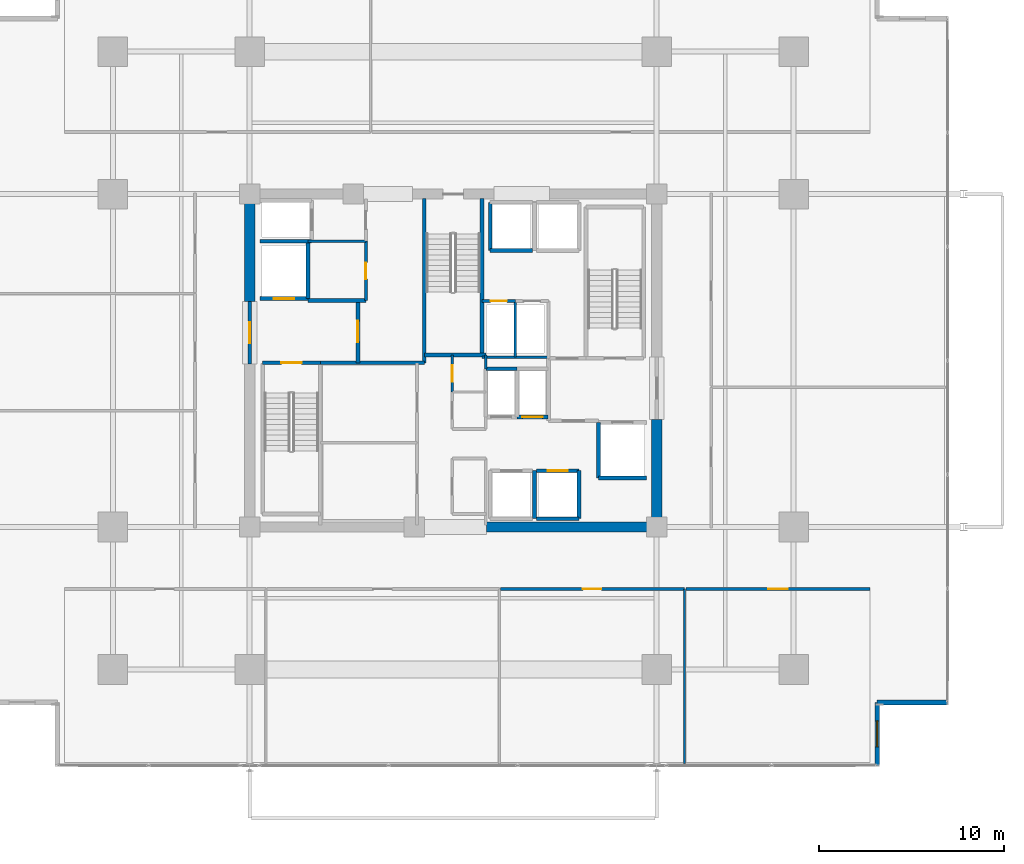
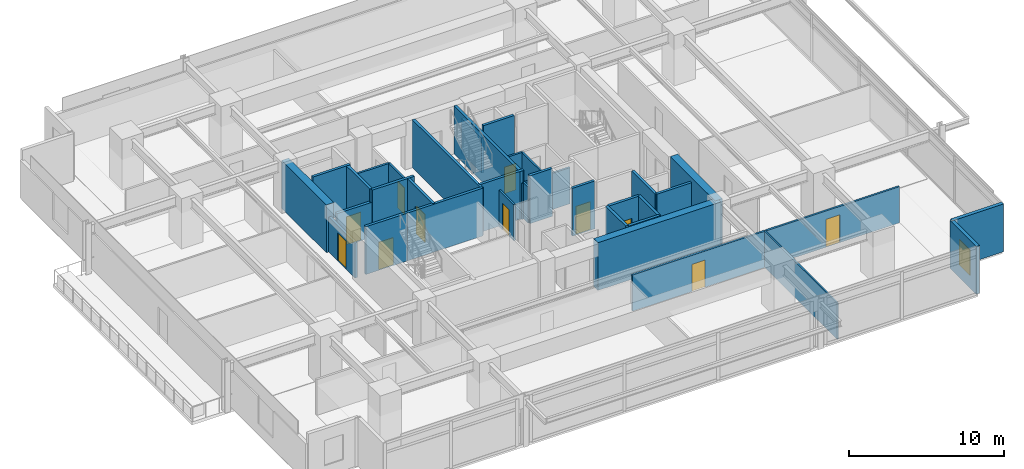
# One storey, part 17 of 23: 36 walls, 11 doors, 1 window, 12 openings.
"""IFC4 building model written with IfcOpenShell, lengths in metres."""

from ifc_helpers import new_model, si_unit, direction, frame, frame_2d, origin, place, context, subcontext, project, spatial, rectangle, extrude, material, layer, layer_set, type_object, element, fill, save


model = new_model("IFC4")

# Units and contexts
model_context = context("Model", 3, precision=1e-05, world=origin(), true_north=direction((0.0, 1.0)))
body_context = subcontext(model_context, "Body", "Model", "MODEL_VIEW")
ifc_project = project(units=[si_unit("LENGTHUNIT", "METRE"), si_unit("AREAUNIT", "SQUARE_METRE"), si_unit("VOLUMEUNIT", "CUBIC_METRE"), si_unit("PLANEANGLEUNIT", "RADIAN"), si_unit("MASSUNIT", "GRAM", prefix="KILO")], contexts=[model_context])

# Site, building, storey
site_placement = place(None, origin())
site = spatial("IfcSite", under=ifc_project, at=site_placement, CompositionType="ELEMENT")
building_placement = place(site_placement, origin())
building = spatial("IfcBuilding", under=site, at=building_placement, Name="Kovane Verandah Tower", CompositionType="ELEMENT")
storey_placement = place(building_placement, frame((0.0, 0.0, 168.39990234375)))
storey = spatial("IfcBuildingStorey", under=building, at=storey_placement, Name="L39", CompositionType="ELEMENT", Elevation=168.39990234375)

# Wall
ifc_material_1 = material(Name="Fire-Rated Gypsum Stud Partition", Category="gypsum")
ifc_layer_1 = layer(ifc_material_1, 0.14990234375)
ifc_layer_set_1 = layer_set([ifc_layer_1], Name="Fire-Rated Gypsum Stud Partition")
wall_type_1 = type_object("IfcWallType", Name="WL-COR-150", PredefinedType="PARTITIONING", material=ifc_layer_set_1)
wall_1_placement = place(storey_placement, frame((41.760009765625, 27.050048828125, 0.0), z_axis=(0.0, 0.0, 1.0), x_axis=(0.0, 1.0, 0.0)))
element("IfcWall", 1, at=wall_1_placement, inside=storey, type_object=wall_type_1, Name="L39 Central Core Strip Upper East Wall", PredefinedType="PARTITIONING", context=body_context, shape_type="SweptSolid", body=[
    extrude(rectangle(XDim=0.75, YDim=0.14990234375, at=frame_2d((0.375, 0.0))), origin(), (0.0, 0.0, 1.0), 2.85009765625),
])

# Wall, opening, door
wall_2_placement = place(storey_placement, frame((39.949951171875, 25.800048828125, 0.0), z_axis=(0.0, 0.0, 1.0), x_axis=(0.0, 1.0, 0.0)))
wall_2 = element("IfcWall", 2, at=wall_2_placement, inside=storey, type_object=wall_type_1, Name="L39 Electrical Riser Room Partition", PredefinedType="PARTITIONING", context=body_context, shape_type="SweptSolid", body=[
    extrude(rectangle(XDim=2.0, YDim=0.14990234375, at=frame_2d((1.0, 0.0))), origin(), (0.0, 0.0, 1.0), 2.85009765625),
])
opening_1_placement = place(wall_2_placement, frame((0.56005859375, 0.0, 0.0)))
opening_1 = element("IfcOpeningElement", 3, at=opening_1_placement, cuts=wall_2, Name="Opening DR-L39-024", PredefinedType="OPENING", context=body_context, shape_type="SweptSolid", body=[
    extrude(rectangle(XDim=0.8798828125, YDim=2.10009765625, at=frame_2d((0.43994140625, 1.050048828125))), frame((0.0, 0.074951171875, 0.0), z_axis=(0.0, -1.0, 0.0), x_axis=(1.0, 0.0, 0.0)), (0.0, 0.0, 1.0), 0.14990234375),
])
ifc_material_2 = material(Name="Fire-Rated Steel Riser Access Door", Category="steel")
door_type_1 = type_object("IfcDoorType", Name="DR-RISER-880", OperationType="SINGLE_SWING_LEFT", PredefinedType="DOOR", material=ifc_material_2)
door_1_placement = place(opening_1_placement, origin())
door_1 = element("IfcDoor", 4, at=door_1_placement, inside=storey, type_object=door_type_1, Name="L39 Electrical Riser Room Door", OperationType="SINGLE_SWING_LEFT", OverallHeight=2.10009765625, OverallWidth=0.8798828125, PredefinedType="DOOR", context=body_context, shape_type="SweptSolid", body=[
    extrude(rectangle(XDim=0.8798828125, YDim=2.10009765625, at=frame_2d((0.43994140625, 1.050048828125))), frame((0.0, 0.02490234375, 0.0), z_axis=(0.0, -1.0, 0.0), x_axis=(1.0, 0.0, 0.0)), (0.0, 0.0, 1.0), 0.050048828125),
])
fill(opening_1, door_1)

# Wall
wall_3_placement = place(storey_placement, frame((32.14990234375, 33.949951171875, 0.0), z_axis=(0.0, 0.0, 1.0), x_axis=(1.0, 0.0, 0.0)))
element("IfcWall", 5, at=wall_3_placement, inside=storey, type_object=wall_type_1, Name="L39 Goods Lift Lobby South Wall", PredefinedType="PARTITIONING", context=body_context, shape_type="SweptSolid", body=[
    extrude(rectangle(XDim=3.130126953125, YDim=0.14990234375, at=frame_2d((1.56494140625, 0.0))), origin(), (0.0, 0.0, 1.0), 2.85009765625),
])

# Wall, opening, door
wall_4_placement = place(storey_placement, frame((35.280029296875, 30.75, 0.0), z_axis=(0.0, 0.0, 1.0), x_axis=(0.0, 1.0, 0.0)))
wall_4 = element("IfcWall", 6, at=wall_4_placement, inside=storey, type_object=wall_type_1, Name="L39 Accessible Unisex Toilet Partition", PredefinedType="PARTITIONING", context=body_context, shape_type="SweptSolid", body=[
    extrude(rectangle(XDim=3.199951171875, YDim=0.14990234375, at=frame_2d((1.60009765625, 0.0))), origin(), (0.0, 0.0, 1.0), 2.85009765625),
])
opening_2_placement = place(wall_4_placement, frame((1.14990234375, 0.0, 0.0)))
opening_2 = element("IfcOpeningElement", 7, at=opening_2_placement, cuts=wall_4, Name="Opening DR-L39-025", PredefinedType="OPENING", context=body_context, shape_type="SweptSolid", body=[
    extrude(rectangle(XDim=0.89990234375, YDim=2.10009765625, at=frame_2d((0.449951171875, 1.050048828125))), frame((0.0, 0.074951171875, 0.0), z_axis=(0.0, -1.0, 0.0), x_axis=(1.0, 0.0, 0.0)), (0.0, 0.0, 1.0), 0.14990234375),
])
ifc_material_3 = material(Name="Moisture-Resistant Laminate Washroom Door", Category="wood")
door_type_2 = type_object("IfcDoorType", Name="DR-WC-900", OperationType="SINGLE_SWING_LEFT", PredefinedType="DOOR", material=ifc_material_3)
door_2_placement = place(opening_2_placement, origin())
door_2 = element("IfcDoor", 8, at=door_2_placement, inside=storey, type_object=door_type_2, Name="L39 Accessible Unisex Toilet Door", OperationType="SINGLE_SWING_LEFT", OverallHeight=2.10009765625, OverallWidth=0.89990234375, PredefinedType="DOOR", context=body_context, shape_type="SweptSolid", body=[
    extrude(rectangle(XDim=0.89990234375, YDim=2.10009765625, at=frame_2d((0.449951171875, 1.050048828125))), frame((0.0, 0.02490234375, 0.0), z_axis=(0.0, -1.0, 0.0), x_axis=(1.0, 0.0, 0.0)), (0.0, 0.0, 1.0), 0.050048828125),
])
fill(opening_2, door_2)

# Wall
wall_5_placement = place(storey_placement, frame((41.56005859375, 27.679931640625, 0.0), z_axis=(0.0, 0.0, 1.0), x_axis=(1.0, 0.0, 0.0)))
element("IfcWall", 9, at=wall_5_placement, inside=storey, type_object=wall_type_1, Name="L39 East Core Service Riser South Wall", PredefinedType="PARTITIONING", context=body_context, shape_type="SweptSolid", body=[
    extrude(rectangle(XDim=3.58984375, YDim=0.14990234375, at=frame_2d((1.794921875, 0.0))), origin(), (0.0, 0.0, 1.0), 2.85009765625),
])

# Wall, opening, door
wall_6_placement = place(storey_placement, frame((41.56005859375, 30.719970703125, 0.0), z_axis=(0.0, 0.0, 1.0), x_axis=(1.0, 0.0, 0.0)))
wall_6 = element("IfcWall", 10, at=wall_6_placement, inside=storey, type_object=wall_type_1, Name="L39 Chilled Water Riser Room Partition", PredefinedType="PARTITIONING", context=body_context, shape_type="SweptSolid", body=[
    extrude(rectangle(XDim=1.800048828125, YDim=0.14990234375, at=frame_2d((0.89990234375, 0.0))), origin(), (0.0, 0.0, 1.0), 2.85009765625),
])
opening_3_placement = place(wall_6_placement, frame((0.4599609375, 0.0, 0.0)))
opening_3 = element("IfcOpeningElement", 11, at=opening_3_placement, cuts=wall_6, Name="Opening DR-L39-016", PredefinedType="OPENING", context=body_context, shape_type="SweptSolid", body=[
    extrude(rectangle(XDim=0.8798828125, YDim=2.10009765625, at=frame_2d((0.43994140625, 1.050048828125))), frame((0.0, 0.074951171875, 0.0), z_axis=(0.0, -1.0, 0.0), x_axis=(1.0, 0.0, 0.0)), (0.0, 0.0, 1.0), 0.14990234375),
])
door_3_placement = place(opening_3_placement, origin())
door_3 = element("IfcDoor", 12, at=door_3_placement, inside=storey, type_object=door_type_1, Name="L39 Chilled Water Riser Room Door", OperationType="SINGLE_SWING_RIGHT", OverallHeight=2.10009765625, OverallWidth=0.8798828125, PredefinedType="DOOR", context=body_context, shape_type="SweptSolid", body=[
    extrude(rectangle(XDim=0.8798828125, YDim=2.10009765625, at=frame_2d((0.43994140625, 1.050048828125))), frame((0.0, 0.02490234375, 0.0), z_axis=(0.0, -1.0, 0.0), x_axis=(1.0, 0.0, 0.0)), (0.0, 0.0, 1.0), 0.050048828125),
])
fill(opening_3, door_3)

wall_7_placement = place(storey_placement, frame((42.569091796875, 15.14990234375, 0.0), z_axis=(0.0, 0.0, 1.0), x_axis=(1.0, 0.0, 0.0)))
wall_7 = element("IfcWall", 13, at=wall_7_placement, inside=storey, type_object=wall_type_1, Name="L39 Open Plan Office S3 Corridor Partition", PredefinedType="PARTITIONING", context=body_context, shape_type="SweptSolid", body=[
    extrude(rectangle(XDim=9.9404296875, YDim=0.14990234375, at=frame_2d((4.97021484375, 0.0))), origin(), (0.0, 0.0, 1.0), 2.85009765625),
])
opening_4_placement = place(wall_7_placement, frame((4.435302734375, 0.0, 0.0)))
opening_4 = element("IfcOpeningElement", 14, at=opening_4_placement, cuts=wall_7, Name="Opening DR-L39-022", PredefinedType="OPENING", context=body_context, shape_type="SweptSolid", body=[
    extrude(rectangle(XDim=1.0, YDim=2.14990234375, at=frame_2d((0.5, 1.074951171875))), frame((0.0, 0.074951171875, 0.0), z_axis=(0.0, -1.0, 0.0), x_axis=(1.0, 0.0, 0.0)), (0.0, 0.0, 1.0), 0.14990234375),
])
ifc_material_4 = material(Name="FSC Spotted-Gum Timber Fire-Rated Office Door", Category="wood")
door_type_3 = type_object("IfcDoorType", Name="DR-OFF-1000", OperationType="SINGLE_SWING_LEFT", PredefinedType="DOOR", material=ifc_material_4)
door_4_placement = place(opening_4_placement, origin())
door_4 = element("IfcDoor", 15, at=door_4_placement, inside=storey, type_object=door_type_3, Name="L39 Open Plan Office S3 Entrance Door", OperationType="SINGLE_SWING_RIGHT", OverallHeight=2.14990234375, OverallWidth=1.0, PredefinedType="DOOR", context=body_context, shape_type="SweptSolid", body=[
    extrude(rectangle(XDim=1.0, YDim=2.14990234375, at=frame_2d((0.5, 1.074951171875))), frame((0.0, 0.02490234375, 0.0), z_axis=(0.0, -1.0, 0.0), x_axis=(1.0, 0.0, 0.0)), (0.0, 0.0, 1.0), 0.050048828125),
])
fill(opening_4, door_4)

wall_8_placement = place(storey_placement, frame((52.57958984375, 15.14990234375, 0.0), z_axis=(0.0, 0.0, 1.0), x_axis=(1.0, 0.0, 0.0)))
wall_8 = element("IfcWall", 16, at=wall_8_placement, inside=storey, type_object=wall_type_1, Name="L39 Executive Office S4 Corridor Partition", PredefinedType="PARTITIONING", context=body_context, shape_type="SweptSolid", body=[
    extrude(rectangle(XDim=9.940185546875, YDim=0.14990234375, at=frame_2d((4.97021484375, 0.0))), origin(), (0.0, 0.0, 1.0), 2.85009765625),
])
opening_5_placement = place(wall_8_placement, frame((4.445068359375, 0.0, 0.0)))
opening_5 = element("IfcOpeningElement", 17, at=opening_5_placement, cuts=wall_8, Name="Opening DR-L39-023", PredefinedType="OPENING", context=body_context, shape_type="SweptSolid", body=[
    extrude(rectangle(XDim=1.050048828125, YDim=2.199951171875, at=frame_2d((0.52490234375, 1.10009765625))), frame((0.0, 0.074951171875, 0.0), z_axis=(0.0, -1.0, 0.0), x_axis=(1.0, 0.0, 0.0)), (0.0, 0.0, 1.0), 0.14990234375),
])
ifc_material_5 = material(Name="FSC Blackbutt Timber Fire-Rated Executive Door", Category="wood")
door_type_4 = type_object("IfcDoorType", Name="DR-EXEC-1050", OperationType="SINGLE_SWING_LEFT", PredefinedType="DOOR", material=ifc_material_5)
door_5_placement = place(opening_5_placement, origin())
door_5 = element("IfcDoor", 18, at=door_5_placement, inside=storey, type_object=door_type_4, Name="L39 Executive Office S4 Entrance Door", OperationType="SINGLE_SWING_LEFT", OverallHeight=2.199951171875, OverallWidth=1.050048828125, PredefinedType="DOOR", context=body_context, shape_type="SweptSolid", body=[
    extrude(rectangle(XDim=1.050048828125, YDim=2.199951171875, at=frame_2d((0.52490234375, 1.10009765625))), frame((0.0, 0.02490234375, 0.0), z_axis=(0.0, -1.0, 0.0), x_axis=(1.0, 0.0, 0.0)), (0.0, 0.0, 1.0), 0.050048828125),
])
fill(opening_5, door_5)

# Walls
ifc_material_6 = material(Name="Concrete C60/75", Category="concrete")
ifc_layer_2 = layer(ifc_material_6, 0.550048828125)
ifc_layer_set_2 = layer_set([ifc_layer_2], Name="Concrete C60/75")
wall_type_2 = type_object("IfcWallType", Name="WL-CORE-550", PredefinedType="SHEAR", material=ifc_layer_set_2)
wall_9_placement = place(storey_placement, frame((41.800048828125, 18.5, 0.0), z_axis=(0.0, 0.0, 1.0), x_axis=(1.0, 0.0, 0.0)))
element("IfcWall", 19, at=wall_9_placement, inside=storey, type_object=wall_type_2, Name="L39 Core Shear Wall CS-2", PredefinedType="SHEAR", context=body_context, shape_type="SweptSolid", body=[
    extrude(rectangle(XDim=9.199951171875, YDim=0.550048828125, at=frame_2d((4.60009765625, 0.0))), origin(), (0.0, 0.0, 1.0), 3.775146484375),
])
for number, where, z_axis, x_axis, name in (
    (20, (29.0, 30.699951171875, 0.0), (0.0, 0.0, 1.0), (0.0, 1.0, 0.0), "L39 Core Shear Wall CW-2"),
    (21, (51.0, 18.5, 0.0), (0.0, 0.0, 1.0), (0.0, 1.0, 0.0), "L39 Core Shear Wall CE-1"),
):
    element("IfcWall", number, at=place(storey_placement, frame(where, z_axis=z_axis, x_axis=x_axis)), inside=storey, type_object=wall_type_2, Name=name, PredefinedType="SHEAR", context=body_context, shape_type="SweptSolid", body=[
        extrude(rectangle(XDim=5.800048828125, YDim=0.550048828125, at=frame_2d((2.89990234375, 0.0))), origin(), (0.0, 0.0, 1.0), 3.775146484375),
    ])

# Wall, opening, door
ifc_material_7 = material(Name="Concrete C45/55 Fire Wall", Category="concrete")
ifc_layer_3 = layer(ifc_material_7, 0.199951171875)
ifc_layer_set_3 = layer_set([ifc_layer_3], Name="Concrete C45/55 Fire Wall")
wall_type_3 = type_object("IfcWallType", Name="WL-FFL-200", PredefinedType="PARTITIONING", material=ifc_layer_set_3)
wall_10_placement = place(storey_placement, frame((34.85009765625, 27.3798828125, 0.0), z_axis=(0.0, 0.0, 1.0), x_axis=(0.0, 1.0, 0.0)))
wall_10 = element("IfcWall", 22, at=wall_10_placement, inside=storey, type_object=wall_type_3, Name="W-L39-FFLW-E", PredefinedType="PARTITIONING", context=body_context, shape_type="SweptSolid", body=[
    extrude(rectangle(XDim=3.3701171875, YDim=0.199951171875, at=frame_2d((1.68505859375, 0.0))), origin(), (0.0, 0.0, 1.0), 3.775146484375),
])
opening_6_placement = place(wall_10_placement, frame((1.110107421875, 0.0, 0.0)))
opening_6 = element("IfcOpeningElement", 23, at=opening_6_placement, cuts=wall_10, Name="Opening DR-L39-006", PredefinedType="OPENING", context=body_context, shape_type="SweptSolid", body=[
    extrude(rectangle(XDim=1.14990234375, YDim=2.199951171875, at=frame_2d((0.574951171875, 1.10009765625))), frame((0.0, 0.10009765625, 0.0), z_axis=(0.0, -1.0, 0.0), x_axis=(1.0, 0.0, 0.0)), (0.0, 0.0, 1.0), 0.199951171875),
])
ifc_material_8 = material(Name="Smoke-Sealed Firefighting Lobby Door", Category="steel")
door_type_5 = type_object("IfcDoorType", Name="DR-FFL-1150", OperationType="SINGLE_SWING_LEFT", PredefinedType="DOOR", material=ifc_material_8)
door_6_placement = place(opening_6_placement, origin())
door_6 = element("IfcDoor", 24, at=door_6_placement, inside=storey, type_object=door_type_5, Name="L39 West Firefighting Lobby Inner Door", OperationType="SINGLE_SWING_LEFT", OverallHeight=2.199951171875, OverallWidth=1.14990234375, PredefinedType="DOOR", context=body_context, shape_type="SweptSolid", body=[
    extrude(rectangle(XDim=1.14990234375, YDim=2.199951171875, at=frame_2d((0.574951171875, 1.10009765625))), frame((0.0, 0.02490234375, 0.0), z_axis=(0.0, -1.0, 0.0), x_axis=(1.0, 0.0, 0.0)), (0.0, 0.0, 1.0), 0.050048828125),
])
fill(opening_6, door_6)

wall_11_placement = place(storey_placement, frame((29.0, 27.300048828125, 0.0), z_axis=(0.0, 0.0, 1.0), x_axis=(0.0, 1.0, 0.0)))
wall_11 = element("IfcWall", 25, at=wall_11_placement, inside=storey, type_object=wall_type_3, Name="W-L39-FFLW-OUT", PredefinedType="PARTITIONING", context=body_context, shape_type="SweptSolid", body=[
    extrude(rectangle(XDim=3.39990234375, YDim=0.199951171875, at=frame_2d((1.699951171875, 0.0))), origin(), (0.0, 0.0, 1.0), 2.755126953125),
])
opening_7_placement = place(wall_11_placement, frame((1.125, 0.0, 0.0)))
opening_7 = element("IfcOpeningElement", 26, at=opening_7_placement, cuts=wall_11, Name="Opening DR-L39-007", PredefinedType="OPENING", context=body_context, shape_type="SweptSolid", body=[
    extrude(rectangle(XDim=1.14990234375, YDim=2.199951171875, at=frame_2d((0.574951171875, 1.10009765625))), frame((0.0, 0.10009765625, 0.0), z_axis=(0.0, -1.0, 0.0), x_axis=(1.0, 0.0, 0.0)), (0.0, 0.0, 1.0), 0.199951171875),
])
door_7_placement = place(opening_7_placement, origin())
door_7 = element("IfcDoor", 27, at=door_7_placement, inside=storey, type_object=door_type_5, Name="L39 West Firefighting Lobby Corridor Door", OperationType="SINGLE_SWING_RIGHT", OverallHeight=2.199951171875, OverallWidth=1.14990234375, PredefinedType="DOOR", context=body_context, shape_type="SweptSolid", body=[
    extrude(rectangle(XDim=1.14990234375, YDim=2.199951171875, at=frame_2d((0.574951171875, 1.10009765625))), frame((0.0, 0.02490234375, 0.0), z_axis=(0.0, -1.0, 0.0), x_axis=(1.0, 0.0, 0.0)), (0.0, 0.0, 1.0), 0.050048828125),
])
fill(opening_7, door_7)

# Walls
wall_12_placement = place(storey_placement, frame((32.820068359375, 27.3798828125, 0.0), z_axis=(0.0, 0.0, 1.0), x_axis=(1.0, 0.0, 0.0)))
element("IfcWall", 28, at=wall_12_placement, inside=storey, type_object=wall_type_3, Name="L39 West Firefighting Lobby South Fire Wall", PredefinedType="PARTITIONING", context=body_context, shape_type="SweptSolid", body=[
    extrude(rectangle(XDim=5.619873046875, YDim=0.199951171875, at=frame_2d((2.81005859375, 0.0))), origin(), (0.0, 0.0, 1.0), 3.775146484375),
])
wall_13_placement = place(storey_placement, frame((32.14990234375, 30.75, 0.0), z_axis=(0.0, 0.0, 1.0), x_axis=(1.0, 0.0, 0.0)))
element("IfcWall", 29, at=wall_13_placement, inside=storey, type_object=wall_type_3, Name="L39 West Firefighting Lobby North Fire Wall", PredefinedType="PARTITIONING", context=body_context, shape_type="SweptSolid", body=[
    extrude(rectangle(XDim=3.130126953125, YDim=0.199951171875, at=frame_2d((1.56494140625, 0.0))), origin(), (0.0, 0.0, 1.0), 3.775146484375),
])

# Wall, opening, door
ifc_material_9 = material(Name="Concrete C45/55 Lift Shaft Wall", Category="concrete")
ifc_layer_4 = layer(ifc_material_9, 0.199951171875)
ifc_layer_set_4 = layer_set([ifc_layer_4], Name="Concrete C45/55 Lift Shaft Wall")
wall_type_4 = type_object("IfcWallType", Name="WL-LIFT-200", PredefinedType="SOLIDWALL", material=ifc_layer_set_4)
wall_14_placement = place(storey_placement, frame((29.550048828125, 30.85009765625, 0.0), z_axis=(0.0, 0.0, 1.0), x_axis=(1.0, 0.0, 0.0)))
wall_14 = element("IfcWall", 30, at=wall_14_placement, inside=storey, type_object=wall_type_4, Name="L39 Lift FL-01 S Shaft Wall", PredefinedType="SOLIDWALL", context=body_context, shape_type="SweptSolid", body=[
    extrude(rectangle(XDim=2.599853515625, YDim=0.199951171875, at=frame_2d((1.2998046875, 0.0))), origin(), (0.0, 0.0, 1.0), 2.755126953125),
])
opening_8_placement = place(wall_14_placement, frame((0.75, 0.0, 0.0)))
opening_8 = element("IfcOpeningElement", 31, at=opening_8_placement, cuts=wall_14, Name="Opening LD-L39-001", PredefinedType="OPENING", context=body_context, shape_type="SweptSolid", body=[
    extrude(rectangle(XDim=1.10009765625, YDim=2.199951171875, at=frame_2d((0.550048828125, 1.10009765625))), frame((0.0, 0.10009765625, 0.0), z_axis=(0.0, -1.0, 0.0), x_axis=(1.0, 0.0, 0.0)), (0.0, 0.0, 1.0), 0.199951171875),
])
ifc_material_10 = material(Name="Brushed Stainless Steel Sliding Lift Landing Door", Category="steel")
door_type_6 = type_object("IfcDoorType", Name="DR-LIFT-1100", OperationType="SLIDING_TO_RIGHT", PredefinedType="DOOR", material=ifc_material_10)
door_8_placement = place(opening_8_placement, origin())
door_8 = element("IfcDoor", 32, at=door_8_placement, inside=storey, type_object=door_type_6, Name="L39 Lift FL-01 Sliding Landing Door", OperationType="SLIDING_TO_RIGHT", OverallHeight=2.199951171875, OverallWidth=1.10009765625, PredefinedType="DOOR", context=body_context, shape_type="SweptSolid", body=[
    extrude(rectangle(XDim=1.10009765625, YDim=2.199951171875, at=frame_2d((0.550048828125, 1.10009765625))), frame((0.0, 0.02490234375, 0.0), z_axis=(0.0, -1.0, 0.0), x_axis=(1.0, 0.0, 0.0)), (0.0, 0.0, 1.0), 0.050048828125),
])
fill(opening_8, door_8)

# Walls
wall_15_placement = place(storey_placement, frame((29.550048828125, 33.949951171875, 0.0), z_axis=(0.0, 0.0, 1.0), x_axis=(1.0, 0.0, 0.0)))
element("IfcWall", 33, at=wall_15_placement, inside=storey, type_object=wall_type_4, Name="L39 Lift FL-01 and GL-01 Shared Shaft Wall", PredefinedType="SOLIDWALL", context=body_context, shape_type="SweptSolid", body=[
    extrude(rectangle(XDim=2.800048828125, YDim=0.199951171875, at=frame_2d((1.39990234375, 0.0))), origin(), (0.0, 0.0, 1.0), 3.775146484375),
])
wall_16_placement = place(storey_placement, frame((32.14990234375, 30.85009765625, 0.0), z_axis=(0.0, 0.0, 1.0), x_axis=(0.0, 1.0, 0.0)))
element("IfcWall", 34, at=wall_16_placement, inside=storey, type_object=wall_type_4, Name="L39 Lift FL-01 E Shaft Wall", PredefinedType="SOLIDWALL", context=body_context, shape_type="SweptSolid", body=[
    extrude(rectangle(XDim=3.0, YDim=0.199951171875, at=frame_2d((1.5, 0.0))), origin(), (0.0, 0.0, 1.0), 3.775146484375),
])
wall_17_placement = place(storey_placement, frame((47.85009765625, 21.14990234375, 0.0), z_axis=(0.0, 0.0, 1.0), x_axis=(1.0, 0.0, 0.0)))
element("IfcWall", 35, at=wall_17_placement, inside=storey, type_object=wall_type_4, Name="L39 Lift FL-02 S Shaft Wall", PredefinedType="SOLIDWALL", context=body_context, shape_type="SweptSolid", body=[
    extrude(rectangle(XDim=2.599853515625, YDim=0.199951171875, at=frame_2d((1.2998046875, 0.0))), origin(), (0.0, 0.0, 1.0), 3.775146484375),
])
wall_18_placement = place(storey_placement, frame((47.85009765625, 24.14990234375, 0.0), z_axis=(0.0, 0.0, 1.0), x_axis=(0.0, -1.0, 0.0)))
element("IfcWall", 36, at=wall_18_placement, inside=storey, type_object=wall_type_4, Name="L39 Lift FL-02 W Shaft Wall", PredefinedType="SOLIDWALL", context=body_context, shape_type="SweptSolid", body=[
    extrude(rectangle(XDim=3.0, YDim=0.199951171875, at=frame_2d((1.5, 0.0))), origin(), (0.0, 0.0, 1.0), 3.775146484375),
])
wall_19_placement = place(storey_placement, frame((44.39990234375, 18.949951171875, 0.0), z_axis=(0.0, 0.0, 1.0), x_axis=(0.0, 1.0, 0.0)))
element("IfcWall", 37, at=wall_19_placement, inside=storey, type_object=wall_type_4, Name="L39 Lift PL-M1 and PL-M2 Shared Shaft Wall", PredefinedType="SOLIDWALL", context=body_context, shape_type="SweptSolid", body=[
    extrude(rectangle(XDim=2.60009765625, YDim=0.199951171875, at=frame_2d((1.300048828125, 0.0))), origin(), (0.0, 0.0, 1.0), 3.775146484375),
])
wall_20_placement = place(storey_placement, frame((44.5, 18.949951171875, 0.0), z_axis=(0.0, 0.0, 1.0), x_axis=(1.0, 0.0, 0.0)))
element("IfcWall", 38, at=wall_20_placement, inside=storey, type_object=wall_type_4, Name="L39 Lift PL-M2 S Shaft Wall", PredefinedType="SOLIDWALL", context=body_context, shape_type="SweptSolid", body=[
    extrude(rectangle(XDim=2.300048828125, YDim=0.199951171875, at=frame_2d((1.14990234375, 0.0))), origin(), (0.0, 0.0, 1.0), 3.775146484375),
])

# Wall, opening, door
wall_21_placement = place(storey_placement, frame((46.800048828125, 21.550048828125, 0.0), z_axis=(0.0, 0.0, 1.0), x_axis=(-1.0, 0.0, 0.0)))
wall_21 = element("IfcWall", 39, at=wall_21_placement, inside=storey, type_object=wall_type_4, Name="L39 Lift PL-M2 N Shaft Wall", PredefinedType="SOLIDWALL", context=body_context, shape_type="SweptSolid", body=[
    extrude(rectangle(XDim=2.300048828125, YDim=0.199951171875, at=frame_2d((1.14990234375, 0.0))), origin(), (0.0, 0.0, 1.0), 3.775146484375),
])
opening_9_placement = place(wall_21_placement, frame((0.60009765625, 0.0, 0.0)))
opening_9 = element("IfcOpeningElement", 40, at=opening_9_placement, cuts=wall_21, Name="Opening LD-L39-005", PredefinedType="OPENING", context=body_context, shape_type="SweptSolid", body=[
    extrude(rectangle(XDim=1.10009765625, YDim=2.199951171875, at=frame_2d((0.550048828125, 1.10009765625))), frame((0.0, 0.10009765625, 0.0), z_axis=(0.0, -1.0, 0.0), x_axis=(1.0, 0.0, 0.0)), (0.0, 0.0, 1.0), 0.199951171875),
])
door_9_placement = place(opening_9_placement, origin())
door_9 = element("IfcDoor", 41, at=door_9_placement, inside=storey, type_object=door_type_6, Name="L39 Lift PL-M2 Sliding Landing Door", OperationType="SLIDING_TO_RIGHT", OverallHeight=2.199951171875, OverallWidth=1.10009765625, PredefinedType="DOOR", context=body_context, shape_type="SweptSolid", body=[
    extrude(rectangle(XDim=1.10009765625, YDim=2.199951171875, at=frame_2d((0.550048828125, 1.10009765625))), frame((0.0, 0.02490234375, 0.0), z_axis=(0.0, -1.0, 0.0), x_axis=(1.0, 0.0, 0.0)), (0.0, 0.0, 1.0), 0.050048828125),
])
fill(opening_9, door_9)

# Walls
wall_22_placement = place(storey_placement, frame((46.800048828125, 18.949951171875, 0.0), z_axis=(0.0, 0.0, 1.0), x_axis=(0.0, 1.0, 0.0)))
element("IfcWall", 42, at=wall_22_placement, inside=storey, type_object=wall_type_4, Name="L39 Lift PL-M2 E Shaft Wall", PredefinedType="SOLIDWALL", context=body_context, shape_type="SweptSolid", body=[
    extrude(rectangle(XDim=2.60009765625, YDim=0.199951171875, at=frame_2d((1.300048828125, 0.0))), origin(), (0.0, 0.0, 1.0), 3.775146484375),
])
wall_23_placement = place(storey_placement, frame((43.43994140625, 27.050048828125, 0.0), z_axis=(0.0, 0.0, 1.0), x_axis=(-1.0, 0.0, 0.0)))
element("IfcWall", 43, at=wall_23_placement, inside=storey, type_object=wall_type_4, Name="L39 Lift PL-M3 N Shaft Wall", PredefinedType="SOLIDWALL", context=body_context, shape_type="SweptSolid", body=[
    extrude(rectangle(XDim=1.679931640625, YDim=0.199951171875, at=frame_2d((0.83984375, 0.0))), origin(), (0.0, 0.0, 1.0), 3.775146484375),
])

# Wall, opening, door
wall_24_placement = place(storey_placement, frame((43.4599609375, 24.449951171875, 0.0), z_axis=(0.0, 0.0, 1.0), x_axis=(1.0, 0.0, 0.0)))
wall_24 = element("IfcWall", 44, at=wall_24_placement, inside=storey, type_object=wall_type_4, Name="L39 Lift PL-M4 S Shaft Wall", PredefinedType="SOLIDWALL", context=body_context, shape_type="SweptSolid", body=[
    extrude(rectangle(XDim=1.66015625, YDim=0.199951171875, at=frame_2d((0.830078125, 0.0))), origin(), (0.0, 0.0, 1.0), 3.775146484375),
])
opening_10_placement = place(wall_24_placement, frame((0.280029296875, 0.0, 0.0)))
opening_10 = element("IfcOpeningElement", 45, at=opening_10_placement, cuts=wall_24, Name="Opening LD-L39-007", PredefinedType="OPENING", context=body_context, shape_type="SweptSolid", body=[
    extrude(rectangle(XDim=1.10009765625, YDim=2.199951171875, at=frame_2d((0.550048828125, 1.10009765625))), frame((0.0, 0.10009765625, 0.0), z_axis=(0.0, -1.0, 0.0), x_axis=(1.0, 0.0, 0.0)), (0.0, 0.0, 1.0), 0.199951171875),
])
door_10_placement = place(opening_10_placement, origin())
door_10 = element("IfcDoor", 46, at=door_10_placement, inside=storey, type_object=door_type_6, Name="L39 Lift PL-M4 Sliding Landing Door", OperationType="SLIDING_TO_RIGHT", OverallHeight=2.199951171875, OverallWidth=1.10009765625, PredefinedType="DOOR", context=body_context, shape_type="SweptSolid", body=[
    extrude(rectangle(XDim=1.10009765625, YDim=2.199951171875, at=frame_2d((0.550048828125, 1.10009765625))), frame((0.0, 0.02490234375, 0.0), z_axis=(0.0, -1.0, 0.0), x_axis=(1.0, 0.0, 0.0)), (0.0, 0.0, 1.0), 0.050048828125),
])
fill(opening_10, door_10)

# Walls
wall_25_placement = place(storey_placement, frame((42.0, 33.449951171875, 0.0), z_axis=(0.0, 0.0, 1.0), x_axis=(1.0, 0.0, 0.0)))
element("IfcWall", 47, at=wall_25_placement, inside=storey, type_object=wall_type_4, Name="L39 Lift SL-01 S Shaft Wall", PredefinedType="SOLIDWALL", context=body_context, shape_type="SweptSolid", body=[
    extrude(rectangle(XDim=2.300048828125, YDim=0.199951171875, at=frame_2d((1.14990234375, 0.0))), origin(), (0.0, 0.0, 1.0), 3.775146484375),
])
wall_26_placement = place(storey_placement, frame((42.0, 36.050048828125, 0.0), z_axis=(0.0, 0.0, 1.0), x_axis=(0.0, -1.0, 0.0)))
element("IfcWall", 48, at=wall_26_placement, inside=storey, type_object=wall_type_4, Name="L39 Lift SL-01 W Shaft Wall", PredefinedType="SOLIDWALL", context=body_context, shape_type="SweptSolid", body=[
    extrude(rectangle(XDim=2.60009765625, YDim=0.199951171875, at=frame_2d((1.300048828125, 0.0))), origin(), (0.0, 0.0, 1.0), 2.755126953125),
])
ifc_material_11 = material(Name="Acoustic Fire-Rated Gypsum Partition", Category="gypsum")
ifc_layer_5 = layer(ifc_material_11, 0.1201171875)
ifc_layer_set_5 = layer_set([ifc_layer_5], Name="Acoustic Fire-Rated Gypsum Partition")
wall_type_5 = type_object("IfcWallType", Name="WL-PART-120", PredefinedType="PARTITIONING", material=ifc_layer_set_5)
wall_27_placement = place(storey_placement, frame((43.360107421875, 27.679931640625, 0.0), z_axis=(0.0, 0.0, 1.0), x_axis=(0.0, 1.0, 0.0)))
element("IfcWall", 49, at=wall_27_placement, inside=storey, type_object=wall_type_5, Name="L39 Service Riser Dividing Partition", PredefinedType="PARTITIONING", context=body_context, shape_type="SweptSolid", body=[
    extrude(rectangle(XDim=3.0400390625, YDim=0.1201171875, at=frame_2d((1.52001953125, 0.0))), origin(), (0.0, 0.0, 1.0), 2.85009765625),
])
wall_28_placement = place(storey_placement, frame((52.509521484375, 5.7177734375, 0.0), z_axis=(0.0, 0.0, 1.0), x_axis=(0.0, 1.0, 0.0)))
element("IfcWall", 50, at=wall_28_placement, inside=storey, type_object=wall_type_5, Name="L39 Open Plan Office S3 Dividing Partition", PredefinedType="PARTITIONING", context=body_context, shape_type="SweptSolid", body=[
    extrude(rectangle(XDim=9.43212890625, YDim=0.1201171875, at=frame_2d((4.716064453125, 0.0))), origin(), (0.0, 0.0, 1.0), 2.85009765625),
])

# Wall, opening, door
ifc_material_12 = material(Name="Concrete C45/55", Category="concrete")
ifc_layer_6 = layer(ifc_material_12, 0.199951171875)
ifc_layer_set_6 = layer_set([ifc_layer_6], Name="Concrete C45/55")
wall_type_6 = type_object("IfcWallType", Name="WL-SHAFT-200", PredefinedType="SOLIDWALL", material=ifc_layer_set_6)
wall_29_placement = place(storey_placement, frame((29.699951171875, 27.3798828125, 0.0), z_axis=(0.0, 0.0, 1.0), x_axis=(1.0, 0.0, 0.0)))
wall_29 = element("IfcWall", 51, at=wall_29_placement, inside=storey, type_object=wall_type_6, Name="W-L39-ST01-N", PredefinedType="SOLIDWALL", context=body_context, shape_type="SweptSolid", body=[
    extrude(rectangle(XDim=3.1201171875, YDim=0.199951171875, at=frame_2d((1.56005859375, 0.0))), origin(), (0.0, 0.0, 1.0), 3.775146484375),
])
opening_11_placement = place(wall_29_placement, frame((1.010009765625, 0.0, 0.0)))
opening_11 = element("IfcOpeningElement", 52, at=opening_11_placement, cuts=wall_29, Name="Opening DR-L39-009", PredefinedType="OPENING", context=body_context, shape_type="SweptSolid", body=[
    extrude(rectangle(XDim=1.10009765625, YDim=2.14990234375, at=frame_2d((0.550048828125, 1.074951171875))), frame((0.0, 0.10009765625, 0.0), z_axis=(0.0, -1.0, 0.0), x_axis=(1.0, 0.0, 0.0)), (0.0, 0.0, 1.0), 0.199951171875),
])
ifc_material_13 = material(Name="Fire-Rated Steel Exit Door", Category="steel")
door_type_7 = type_object("IfcDoorType", Name="DR-STAIR-1100", OperationType="SINGLE_SWING_LEFT", PredefinedType="DOOR", material=ifc_material_13)
door_11_placement = place(opening_11_placement, origin())
door_11 = element("IfcDoor", 53, at=door_11_placement, inside=storey, type_object=door_type_7, Name="L39 ST-01 Fire Exit Stair Door", OperationType="SINGLE_SWING_RIGHT", OverallHeight=2.14990234375, OverallWidth=1.10009765625, PredefinedType="DOOR", context=body_context, shape_type="SweptSolid", body=[
    extrude(rectangle(XDim=1.10009765625, YDim=2.14990234375, at=frame_2d((0.550048828125, 1.074951171875))), frame((0.0, 0.02490234375, 0.0), z_axis=(0.0, -1.0, 0.0), x_axis=(1.0, 0.0, 0.0)), (0.0, 0.0, 1.0), 0.050048828125),
])
fill(opening_11, door_11)

# Walls
wall_30_placement = place(storey_placement, frame((38.43994140625, 27.3798828125, 0.0), z_axis=(0.0, 0.0, 1.0), x_axis=(0.0, 1.0, 0.0)))
element("IfcWall", 54, at=wall_30_placement, inside=storey, type_object=wall_type_6, Name="W-L39-ST03-W", PredefinedType="SOLIDWALL", context=body_context, shape_type="SweptSolid", body=[
    extrude(rectangle(XDim=8.8701171875, YDim=0.199951171875, at=frame_2d((4.43505859375, 0.0))), origin(), (0.0, 0.0, 1.0), 3.775146484375),
])
wall_31_placement = place(storey_placement, frame((41.56005859375, 27.679931640625, 0.0), z_axis=(0.0, 0.0, 1.0), x_axis=(0.0, 1.0, 0.0)))
element("IfcWall", 55, at=wall_31_placement, inside=storey, type_object=wall_type_6, Name="W-L39-ST03-E", PredefinedType="SOLIDWALL", context=body_context, shape_type="SweptSolid", body=[
    extrude(rectangle(XDim=8.570068359375, YDim=0.199951171875, at=frame_2d((4.28515625, 0.0))), origin(), (0.0, 0.0, 1.0), 3.775146484375),
])
wall_32_placement = place(storey_placement, frame((38.43994140625, 27.800048828125, 0.0), z_axis=(0.0, 0.0, 1.0), x_axis=(1.0, 0.0, 0.0)))
element("IfcWall", 56, at=wall_32_placement, inside=storey, type_object=wall_type_6, Name="W-L39-ST03-S", PredefinedType="SOLIDWALL", context=body_context, shape_type="SweptSolid", body=[
    extrude(rectangle(XDim=3.320068359375, YDim=0.199951171875, at=frame_2d((1.66015625, 0.0))), origin(), (0.0, 0.0, 1.0), 3.775146484375),
])

# Wall, opening, window
ifc_material_14 = material(Name="Concrete C45/55 Insulated Spandrel Wall", Category="concrete")
ifc_layer_7 = layer(ifc_material_14, 0.260009765625)
ifc_layer_set_7 = layer_set([ifc_layer_7], Name="Concrete C45/55 Insulated Spandrel Wall")
wall_type_7 = type_object("IfcWallType", Name="WL-SPANDREL-260", PredefinedType="PARAPET", material=ifc_layer_set_7)
wall_33_placement = place(storey_placement, frame((62.919921875, 5.617919921875, 0.0), z_axis=(0.0, 0.0, 1.0), x_axis=(0.0, 1.0, 0.0)))
wall_33 = element("IfcWall", 57, at=wall_33_placement, inside=storey, type_object=wall_type_7, Name="L39 SE Notch Cheek Wall 1", PredefinedType="PARAPET", context=body_context, shape_type="SweptSolid", body=[
    extrude(rectangle(XDim=3.39990234375, YDim=0.260009765625, at=frame_2d((1.699951171875, 0.0))), origin(), (0.0, 0.0, 1.0), 3.775146484375),
])
opening_12_placement = place(wall_33_placement, frame((1.0, 0.0, 0.85009765625)))
opening_12 = element("IfcOpeningElement", 58, at=opening_12_placement, cuts=wall_33, Name="Opening W-01", PredefinedType="OPENING", context=body_context, shape_type="SweptSolid", body=[
    extrude(rectangle(XDim=1.39990234375, YDim=2.0, at=frame_2d((0.699951171875, 1.0))), frame((0.0, 0.1298828125, 0.0), z_axis=(0.0, -1.0, 0.0), x_axis=(1.0, 0.0, 0.0)), (0.0, 0.0, 1.0), 0.260009765625),
])
ifc_material_15 = material(Name="Clear Low-E Laminated Double Glazing in Anodised Frame", Category="glass")
window_type = type_object("IfcWindowType", Name="WN-OPER-1400x2000", PartitioningType="SINGLE_PANEL", PredefinedType="WINDOW", material=ifc_material_15)
window_placement = place(opening_12_placement, origin())
window = element("IfcWindow", 59, at=window_placement, inside=storey, type_object=window_type, Name="L39 SE Re-Entrant Corner Operable Window", OverallHeight=2.0, OverallWidth=1.39990234375, PartitioningType="SINGLE_PANEL", PredefinedType="WINDOW", context=body_context, shape_type="SweptSolid", body=[
    extrude(rectangle(XDim=1.39990234375, YDim=2.0, at=frame_2d((0.699951171875, 1.0))), frame((0.0, 0.030029296875, 0.0), z_axis=(0.0, -1.0, 0.0), x_axis=(1.0, 0.0, 0.0)), (0.0, 0.0, 1.0), 0.06005859375),
])
fill(opening_12, window)

# Wall
wall_34_placement = place(storey_placement, frame((62.919921875, 9.017822265625, 0.0), z_axis=(0.0, 0.0, 1.0), x_axis=(1.0, 0.0, 0.0)))
element("IfcWall", 60, at=wall_34_placement, inside=storey, type_object=wall_type_7, Name="L39 SE Notch Cheek Wall 2", PredefinedType="PARAPET", context=body_context, shape_type="SweptSolid", body=[
    extrude(rectangle(XDim=3.7998046875, YDim=0.260009765625, at=frame_2d((1.89990234375, 0.0))), origin(), (0.0, 0.0, 1.0), 3.775146484375),
])

save(model, "model.ifc")
